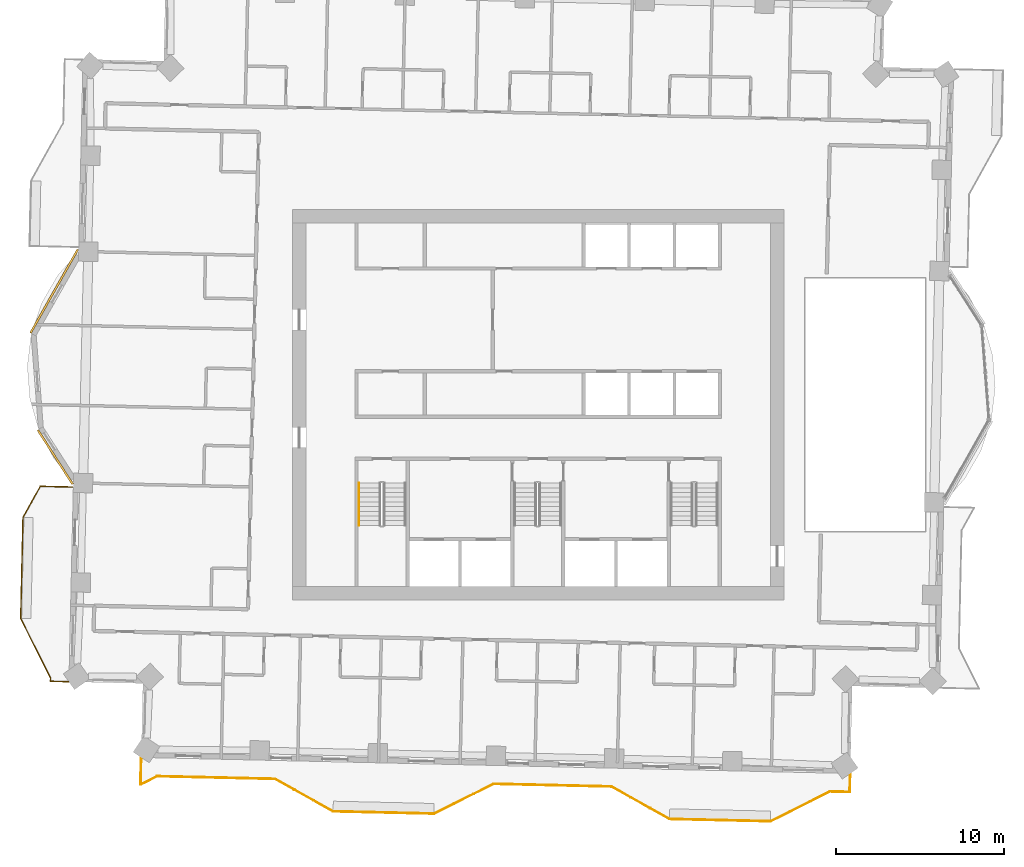
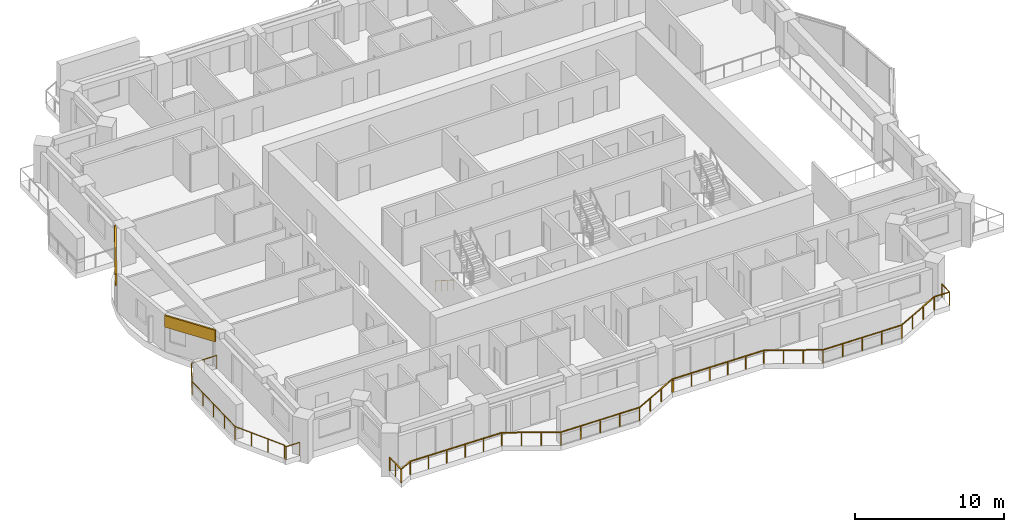
# One storey, part 13 of 16: 3 railings, 2 coverings.
"""IFC4 building model written with IfcOpenShell, lengths in metres."""

from ifc_helpers import new_model, si_unit, direction, frame, frame_2d, origin, origin_2d, place, context, subcontext, project, spatial, rectangle, circle, extrude, material, layer, layer_set, type_object, element, save


model = new_model("IFC4")

# Units and contexts
model_context = context("Model", 3, precision=1e-05, world=origin(), true_north=direction((0.0, 1.0)))
body_context = subcontext(model_context, "Body", "Model", "MODEL_VIEW")
ifc_project = project(units=[si_unit("LENGTHUNIT", "METRE"), si_unit("AREAUNIT", "SQUARE_METRE"), si_unit("VOLUMEUNIT", "CUBIC_METRE"), si_unit("PLANEANGLEUNIT", "RADIAN"), si_unit("MASSUNIT", "GRAM", prefix="KILO")], contexts=[model_context])

# Site, building, storey
site_placement = place(None, origin())
site = spatial("IfcSite", under=ifc_project, at=site_placement, CompositionType="ELEMENT")
building_placement = place(site_placement, origin())
building = spatial("IfcBuilding", under=site, at=building_placement, Name="Mangrove Gate Tower", CompositionType="ELEMENT")
storey_placement = place(building_placement, frame((0.0, 0.0, 197.89990234375)))
storey = spatial("IfcBuildingStorey", under=building, at=storey_placement, Name="L50", CompositionType="ELEMENT", Elevation=197.89990234375)

# Railings
ifc_material_1 = material(Name="Stainless steel grade 316 with laminated glass infill", Category="steel")
railing_type_1 = type_object("IfcRailingType", Name="Balcony guard 1100", PredefinedType="GUARDRAIL", material=ifc_material_1)
railing_1_placement = place(storey_placement, frame((-27.6669921875, -4.885986328125, 0.0)))
element("IfcRailing", 1, at=railing_1_placement, inside=storey, type_object=railing_type_1, Name="GUARD L50 W2", PredefinedType="GUARDRAIL", context=body_context, shape_type="SweptSolid", body=[
    extrude(rectangle(XDim=0.048095703125, YDim=0.048095703125, at=origin_2d()), frame((0.0, 0.0, 1.076171875), z_axis=(-0.999737880615, 0.022894760625, 0.0), x_axis=(-0.022894760625, -0.999737880615, 0.0)), (0.0, 0.0, 1.0), 1.91943359375),
    extrude(rectangle(XDim=0.048095703125, YDim=0.048095703125, at=origin_2d()), frame((-1.9189453125, 0.0439453125, 1.076171875), z_axis=(-0.487098711433, -0.873346921515, 0.0), x_axis=(0.873346921515, -0.487098711433, 0.0)), (0.0, 0.0, 1.0), 2.12060546875),
    extrude(rectangle(XDim=0.048095703125, YDim=0.048095703125, at=origin_2d()), frame((-2.951904296875, -1.80810546875, 1.076171875), z_axis=(-0.022666865795, -0.999743073592, 0.0), x_axis=(0.999743073592, -0.022666865795, 0.0)), (0.0, 0.0, 1.0), 5.999267578125),
    extrude(rectangle(XDim=0.048095703125, YDim=0.048095703125, at=origin_2d()), frame((-3.087890625, -7.805908203125, 1.076171875), z_axis=(0.447065574839, -0.894501186021, 0.0), x_axis=(0.894501186021, 0.447065574839, 0.0)), (0.0, 0.0, 1.0), 3.958740234375),
    extrude(rectangle(XDim=0.048095703125, YDim=0.048095703125, at=origin_2d()), frame((-1.318115234375, -11.346923828125, 1.076171875), z_axis=(-0.019508481785, -0.999809691461, 0.0), x_axis=(0.999809691461, -0.019508481785, 0.0)), (0.0, 0.0, 1.0), 0.2001953125),
    extrude(rectangle(XDim=0.048095703125, YDim=0.048095703125, at=origin_2d()), frame((-1.322021484375, -11.547119140625, 1.076171875), z_axis=(0.999744919731, -0.022585293253, 0.0), x_axis=(0.022585293253, 0.999744919731, 0.0)), (0.0, 0.0, 1.0), 1.059326171875),
    extrude(rectangle(XDim=0.0419921875, YDim=0.0419921875, at=origin_2d()), origin(), (0.0, 0.0, 1.0), 1.052001953125),
    extrude(rectangle(XDim=0.0419921875, YDim=0.0419921875, at=origin_2d()), frame((-0.95947265625, 0.02197265625, 0.0)), (0.0, 0.0, 1.0), 1.052001953125),
    extrude(rectangle(XDim=0.0419921875, YDim=0.0419921875, at=origin_2d()), frame((-1.9189453125, 0.0439453125, 0.0)), (0.0, 0.0, 1.0), 1.052001953125),
    extrude(rectangle(XDim=0.0419921875, YDim=0.0419921875, at=origin_2d()), frame((-2.435546875, -0.882080078125, 0.0)), (0.0, 0.0, 1.0), 1.052001953125),
    extrude(rectangle(XDim=0.0419921875, YDim=0.0419921875, at=origin_2d()), frame((-2.951904296875, -1.80810546875, 0.0)), (0.0, 0.0, 1.0), 1.052001953125),
    extrude(rectangle(XDim=0.0419921875, YDim=0.0419921875, at=origin_2d()), frame((-2.98583984375, -3.3076171875, 0.0)), (0.0, 0.0, 1.0), 1.052001953125),
    extrude(rectangle(XDim=0.0419921875, YDim=0.0419921875, at=origin_2d()), frame((-3.02001953125, -4.80712890625, 0.0)), (0.0, 0.0, 1.0), 1.052001953125),
    extrude(rectangle(XDim=0.0419921875, YDim=0.0419921875, at=origin_2d()), frame((-3.053955078125, -6.306396484375, 0.0)), (0.0, 0.0, 1.0), 1.052001953125),
    extrude(rectangle(XDim=0.0419921875, YDim=0.0419921875, at=origin_2d()), frame((-3.087890625, -7.805908203125, 0.0)), (0.0, 0.0, 1.0), 1.052001953125),
    extrude(rectangle(XDim=0.0419921875, YDim=0.0419921875, at=origin_2d()), frame((-2.498046875, -8.986328125, 0.0)), (0.0, 0.0, 1.0), 1.052001953125),
    extrude(rectangle(XDim=0.0419921875, YDim=0.0419921875, at=origin_2d()), frame((-1.907958984375, -10.16650390625, 0.0)), (0.0, 0.0, 1.0), 1.052001953125),
    extrude(rectangle(XDim=0.0419921875, YDim=0.0419921875, at=origin_2d()), frame((-1.318115234375, -11.346923828125, 0.0)), (0.0, 0.0, 1.0), 1.052001953125),
    extrude(rectangle(XDim=0.0419921875, YDim=0.0419921875, at=origin_2d()), frame((-1.322021484375, -11.547119140625, 0.0)), (0.0, 0.0, 1.0), 1.052001953125),
    extrude(rectangle(XDim=0.0419921875, YDim=0.0419921875, at=origin_2d()), frame((-0.262939453125, -11.571044921875, 0.0)), (0.0, 0.0, 1.0), 1.052001953125),
])
railing_2_placement = place(storey_placement, frame((-23.592041015625, -20.9970703125, 0.0)))
element("IfcRailing", 2, at=railing_2_placement, inside=storey, type_object=railing_type_1, Name="GUARD L50 S1", PredefinedType="GUARDRAIL", context=body_context, shape_type="SweptSolid", body=[
    extrude(rectangle(XDim=0.048095703125, YDim=0.048095703125, at=origin_2d()), frame((0.0, 0.0, 1.076171875), z_axis=(-0.022189165295, -0.999753790162, 0.0), x_axis=(0.999753790162, -0.022189165295, 0.0)), (0.0, 0.0, 1.0), 1.573486328125),
    extrude(rectangle(XDim=0.048095703125, YDim=0.048095703125, at=origin_2d()), frame((-0.034912109375, -1.572998046875, 1.076171875), z_axis=(0.89460488584, 0.446858029167, 0.0), x_axis=(-0.446858029167, 0.89460488584, 0.0)), (0.0, 0.0, 1.0), 1.0986328125),
    extrude(rectangle(XDim=0.048095703125, YDim=0.048095703125, at=origin_2d()), frame((0.947998046875, -1.08203125, 1.076171875), z_axis=(0.999745423737, -0.022562972274, 0.0), x_axis=(0.022562972274, 0.999745423737, 0.0)), (0.0, 0.0, 1.0), 7.000732421875),
    extrude(rectangle(XDim=0.048095703125, YDim=0.048095703125, at=origin_2d()), frame((7.947021484375, -1.239990234375, 1.076171875), z_axis=(0.87325689943, -0.48726008209, 0.0), x_axis=(0.48726008209, 0.87325689943, 0.0)), (0.0, 0.0, 1.0), 3.958740234375),
    extrude(rectangle(XDim=0.048095703125, YDim=0.048095703125, at=origin_2d()), frame((11.404052734375, -3.1689453125, 1.076171875), z_axis=(0.999739392852, -0.022828630714, 0.0), x_axis=(0.022828630714, 0.999739392852, 0.0)), (0.0, 0.0, 1.0), 5.99951171875),
    extrude(rectangle(XDim=0.048095703125, YDim=0.048095703125, at=origin_2d()), frame((17.402099609375, -3.305908203125, 1.076171875), z_axis=(0.894377854182, 0.447312255532, 0.0), x_axis=(-0.447312255532, 0.894377854182, 0.0)), (0.0, 0.0, 1.0), 3.959228515625),
    extrude(rectangle(XDim=0.048095703125, YDim=0.048095703125, at=origin_2d()), frame((20.943115234375, -1.534912109375, 1.076171875), z_axis=(0.999569864189, -0.029327233179, 0.0), x_axis=(0.029327233179, 0.999569864189, 0.0)), (0.0, 0.0, 1.0), 0.099853515625),
    extrude(rectangle(XDim=0.048095703125, YDim=0.048095703125, at=origin_2d()), frame((21.04296875, -1.537841796875, 1.076171875), z_axis=(0.999744368397, -0.022609685061, 0.0), x_axis=(0.022609685061, 0.999744368397, 0.0)), (0.0, 0.0, 1.0), 6.89990234375),
    extrude(rectangle(XDim=0.048095703125, YDim=0.048095703125, at=origin_2d()), frame((27.941162109375, -1.69384765625, 1.076171875), z_axis=(0.873274580395, -0.487228393298, 0.0), x_axis=(0.487228393298, 0.873274580395, 0.0)), (0.0, 0.0, 1.0), 3.95947265625),
    extrude(rectangle(XDim=0.048095703125, YDim=0.048095703125, at=origin_2d()), frame((31.39892578125, -3.623046875, 1.076171875), z_axis=(0.999743094499, -0.022665943652, 0.0), x_axis=(0.022665943652, 0.999743094499, 0.0)), (0.0, 0.0, 1.0), 5.99951171875),
    extrude(rectangle(XDim=0.048095703125, YDim=0.048095703125, at=origin_2d()), frame((37.39697265625, -3.759033203125, 1.076171875), z_axis=(0.894476522376, 0.447114919141, 0.0), x_axis=(-0.447114919141, 0.894476522376, 0.0)), (0.0, 0.0, 1.0), 3.958740234375),
    extrude(rectangle(XDim=0.048095703125, YDim=0.048095703125, at=origin_2d()), frame((40.93798828125, -1.989013671875, 1.076171875), z_axis=(0.999737625868, -0.022905881867, 0.0), x_axis=(0.022905881867, 0.999737625868, 0.0)), (0.0, 0.0, 1.0), 1.17236328125),
    extrude(rectangle(XDim=0.048095703125, YDim=0.048095703125, at=origin_2d()), frame((42.110107421875, -2.015869140625, 1.076171875), z_axis=(0.022564497502, 0.999745389313, 0.0), x_axis=(-0.999745389313, 0.022564497502, 0.0)), (0.0, 0.0, 1.0), 1.060302734375),
    extrude(rectangle(XDim=0.0419921875, YDim=0.0419921875, at=origin_2d()), origin(), (0.0, 0.0, 1.0), 1.052001953125),
    extrude(rectangle(XDim=0.0419921875, YDim=0.0419921875, at=origin_2d()), frame((-0.017578125, -0.78662109375, 0.0)), (0.0, 0.0, 1.0), 1.052001953125),
    extrude(rectangle(XDim=0.0419921875, YDim=0.0419921875, at=origin_2d()), frame((-0.034912109375, -1.572998046875, 0.0)), (0.0, 0.0, 1.0), 1.052001953125),
    extrude(rectangle(XDim=0.0419921875, YDim=0.0419921875, at=origin_2d()), frame((0.947998046875, -1.08203125, 0.0)), (0.0, 0.0, 1.0), 1.052001953125),
    extrude(rectangle(XDim=0.0419921875, YDim=0.0419921875, at=origin_2d()), frame((2.347900390625, -1.113525390625, 0.0)), (0.0, 0.0, 1.0), 1.052001953125),
    extrude(rectangle(XDim=0.0419921875, YDim=0.0419921875, at=origin_2d()), frame((3.74755859375, -1.145263671875, 0.0)), (0.0, 0.0, 1.0), 1.052001953125),
    extrude(rectangle(XDim=0.0419921875, YDim=0.0419921875, at=origin_2d()), frame((5.1474609375, -1.1767578125, 0.0)), (0.0, 0.0, 1.0), 1.052001953125),
    extrude(rectangle(XDim=0.0419921875, YDim=0.0419921875, at=origin_2d()), frame((6.547119140625, -1.20849609375, 0.0)), (0.0, 0.0, 1.0), 1.052001953125),
    extrude(rectangle(XDim=0.0419921875, YDim=0.0419921875, at=origin_2d()), frame((7.947021484375, -1.239990234375, 0.0)), (0.0, 0.0, 1.0), 1.052001953125),
    extrude(rectangle(XDim=0.0419921875, YDim=0.0419921875, at=origin_2d()), frame((9.099365234375, -1.883056640625, 0.0)), (0.0, 0.0, 1.0), 1.052001953125),
    extrude(rectangle(XDim=0.0419921875, YDim=0.0419921875, at=origin_2d()), frame((10.251708984375, -2.52587890625, 0.0)), (0.0, 0.0, 1.0), 1.052001953125),
    extrude(rectangle(XDim=0.0419921875, YDim=0.0419921875, at=origin_2d()), frame((11.404052734375, -3.1689453125, 0.0)), (0.0, 0.0, 1.0), 1.052001953125),
    extrude(rectangle(XDim=0.0419921875, YDim=0.0419921875, at=origin_2d()), frame((12.903564453125, -3.203125, 0.0)), (0.0, 0.0, 1.0), 1.052001953125),
    extrude(rectangle(XDim=0.0419921875, YDim=0.0419921875, at=origin_2d()), frame((14.403076171875, -3.2373046875, 0.0)), (0.0, 0.0, 1.0), 1.052001953125),
    extrude(rectangle(XDim=0.0419921875, YDim=0.0419921875, at=origin_2d()), frame((15.902587890625, -3.271728515625, 0.0)), (0.0, 0.0, 1.0), 1.052001953125),
    extrude(rectangle(XDim=0.0419921875, YDim=0.0419921875, at=origin_2d()), frame((17.402099609375, -3.305908203125, 0.0)), (0.0, 0.0, 1.0), 1.052001953125),
    extrude(rectangle(XDim=0.0419921875, YDim=0.0419921875, at=origin_2d()), frame((18.58251953125, -2.715576171875, 0.0)), (0.0, 0.0, 1.0), 1.052001953125),
    extrude(rectangle(XDim=0.0419921875, YDim=0.0419921875, at=origin_2d()), frame((19.7626953125, -2.125244140625, 0.0)), (0.0, 0.0, 1.0), 1.052001953125),
    extrude(rectangle(XDim=0.0419921875, YDim=0.0419921875, at=origin_2d()), frame((20.943115234375, -1.534912109375, 0.0)), (0.0, 0.0, 1.0), 1.052001953125),
    extrude(rectangle(XDim=0.0419921875, YDim=0.0419921875, at=origin_2d()), frame((21.04296875, -1.537841796875, 0.0)), (0.0, 0.0, 1.0), 1.052001953125),
    extrude(rectangle(XDim=0.0419921875, YDim=0.0419921875, at=origin_2d()), frame((22.422607421875, -1.569091796875, 0.0)), (0.0, 0.0, 1.0), 1.052001953125),
    extrude(rectangle(XDim=0.0419921875, YDim=0.0419921875, at=origin_2d()), frame((23.80224609375, -1.600341796875, 0.0)), (0.0, 0.0, 1.0), 1.052001953125),
    extrude(rectangle(XDim=0.0419921875, YDim=0.0419921875, at=origin_2d()), frame((25.181884765625, -1.63134765625, 0.0)), (0.0, 0.0, 1.0), 1.052001953125),
    extrude(rectangle(XDim=0.0419921875, YDim=0.0419921875, at=origin_2d()), frame((26.5615234375, -1.66259765625, 0.0)), (0.0, 0.0, 1.0), 1.052001953125),
    extrude(rectangle(XDim=0.0419921875, YDim=0.0419921875, at=origin_2d()), frame((27.941162109375, -1.69384765625, 0.0)), (0.0, 0.0, 1.0), 1.052001953125),
    extrude(rectangle(XDim=0.0419921875, YDim=0.0419921875, at=origin_2d()), frame((29.09375, -2.3369140625, 0.0)), (0.0, 0.0, 1.0), 1.052001953125),
    extrude(rectangle(XDim=0.0419921875, YDim=0.0419921875, at=origin_2d()), frame((30.246337890625, -2.97998046875, 0.0)), (0.0, 0.0, 1.0), 1.052001953125),
    extrude(rectangle(XDim=0.0419921875, YDim=0.0419921875, at=origin_2d()), frame((31.39892578125, -3.623046875, 0.0)), (0.0, 0.0, 1.0), 1.052001953125),
    extrude(rectangle(XDim=0.0419921875, YDim=0.0419921875, at=origin_2d()), frame((32.8984375, -3.656982421875, 0.0)), (0.0, 0.0, 1.0), 1.052001953125),
    extrude(rectangle(XDim=0.0419921875, YDim=0.0419921875, at=origin_2d()), frame((34.39794921875, -3.69091796875, 0.0)), (0.0, 0.0, 1.0), 1.052001953125),
    extrude(rectangle(XDim=0.0419921875, YDim=0.0419921875, at=origin_2d()), frame((35.8974609375, -3.72509765625, 0.0)), (0.0, 0.0, 1.0), 1.052001953125),
    extrude(rectangle(XDim=0.0419921875, YDim=0.0419921875, at=origin_2d()), frame((37.39697265625, -3.759033203125, 0.0)), (0.0, 0.0, 1.0), 1.052001953125),
    extrude(rectangle(XDim=0.0419921875, YDim=0.0419921875, at=origin_2d()), frame((38.577392578125, -3.1689453125, 0.0)), (0.0, 0.0, 1.0), 1.052001953125),
    extrude(rectangle(XDim=0.0419921875, YDim=0.0419921875, at=origin_2d()), frame((39.757568359375, -2.5791015625, 0.0)), (0.0, 0.0, 1.0), 1.052001953125),
    extrude(rectangle(XDim=0.0419921875, YDim=0.0419921875, at=origin_2d()), frame((40.93798828125, -1.989013671875, 0.0)), (0.0, 0.0, 1.0), 1.052001953125),
    extrude(rectangle(XDim=0.0419921875, YDim=0.0419921875, at=origin_2d()), frame((42.110107421875, -2.015869140625, 0.0)), (0.0, 0.0, 1.0), 1.052001953125),
    extrude(rectangle(XDim=0.0419921875, YDim=0.0419921875, at=origin_2d()), frame((42.134033203125, -0.955810546875, 0.0)), (0.0, 0.0, 1.0), 1.052001953125),
])
ifc_material_2 = material(Name="Stainless steel 316", Category="steel")
railing_type_2 = type_object("IfcRailingType", Name="Core stair handrail 900", PredefinedType="HANDRAIL", material=ifc_material_2)
railing_3_placement = place(storey_placement, frame((-10.64990234375, -4.64990234375, 0.18017578125)))
element("IfcRailing", 3, at=railing_3_placement, inside=storey, type_object=railing_type_2, Name="L50 ST1 stair handrail 1", PredefinedType="HANDRAIL", context=body_context, shape_type="SweptSolid", body=[
    extrude(circle(Radius=0.02392578125, at=origin_2d()), frame((0.0, 0.0, 0.8759765625), z_axis=(0.0, -0.841199657755, 0.540724639528), x_axis=(1.0, 0.0, 0.0)), (0.0, 0.0, 1.0), 2.995849609375),
    extrude(circle(Radius=0.02099609375, at=origin_2d()), origin(), (0.0, 0.0, 1.0), 0.851806640625),
    extrude(circle(Radius=0.02099609375, at=origin_2d()), frame((0.0, -0.840087890625, 0.5400390625)), (0.0, 0.0, 1.0), 0.851806640625),
    extrude(circle(Radius=0.02099609375, at=origin_2d()), frame((0.0, -1.679931640625, 1.079833984375)), (0.0, 0.0, 1.0), 0.851806640625),
    extrude(circle(Radius=0.02099609375, at=origin_2d()), frame((0.0, -2.52001953125, 1.619873046875)), (0.0, 0.0, 1.0), 0.851806640625),
])

# Coverings
ifc_material_3 = material(Name="Limestone", Category="masonry")
ifc_layer_1 = layer(ifc_material_3, 0.0400390625, Name="Limestone cladding")
ifc_material_4 = material(Name="Stainless steel anchors and cavity", Category="steel")
ifc_layer_2 = layer(ifc_material_4, 0.080078125, Name="Fixing cavity")
ifc_layer_set = layer_set([ifc_layer_1, ifc_layer_2], Name="Joint fascia cladding 120")
covering_type = type_object("IfcCoveringType", Name="Joint fascia cladding 120", PredefinedType="CLADDING", material=ifc_layer_set)
covering_1_placement = place(storey_placement, frame((-27.357177734375, 9.236083984375, 2.10009765625), z_axis=(0.0, 0.0, 1.0), x_axis=(-0.492516887056, -0.870302887485, 0.0)))
element("IfcCovering", 4, at=covering_1_placement, inside=storey, type_object=covering_type, Name="STONE FASCIA L50 W9.L1", PredefinedType="CLADDING", context=body_context, shape_type="SweptSolid", body=[
    extrude(rectangle(XDim=5.705078125, YDim=0.1201171875, at=frame_2d((2.8525390625, 0.0))), origin(), (0.0, 0.0, 1.0), 0.949951171875),
])
covering_2_placement = place(storey_placement, frame((-29.73095703125, -1.501953125, 2.10009765625), z_axis=(0.0, 0.0, 1.0), x_axis=(0.540340805768, -0.841446263063, 0.0)))
element("IfcCovering", 5, at=covering_2_placement, inside=storey, type_object=covering_type, Name="STONE FASCIA L50 W9.L2", PredefinedType="CLADDING", context=body_context, shape_type="SweptSolid", body=[
    extrude(rectangle(XDim=3.81982421875, YDim=0.1201171875, at=frame_2d((1.909912109375, 0.0))), origin(), (0.0, 0.0, 1.0), 0.949951171875),
])

save(model, "model.ifc")
